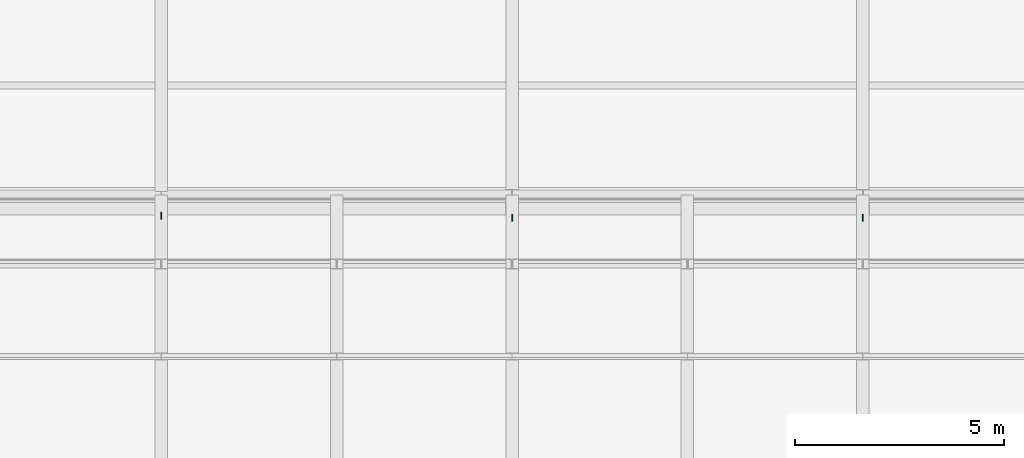
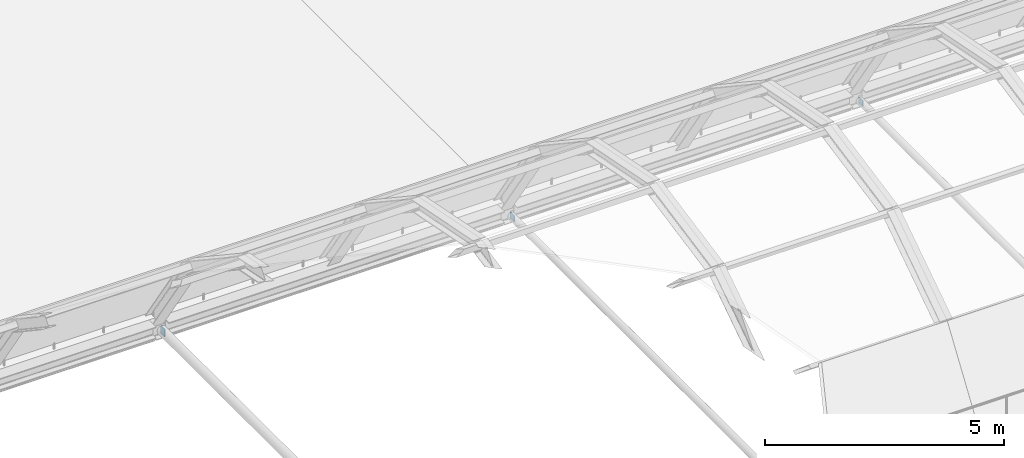
# One storey, part 45 of 58: 3 discrete accessories.
"""IFC4 building model written with IfcOpenShell, lengths in metres."""

import ifcopenshell
import ifcopenshell.guid

model = None  # the IFC model being written
_history = None  # IfcOwnerHistory: only IFC2X3 demands one
_inside = {}  # id of a spatial element -> (the spatial element, [elements in it])
_under = {}  # id of a project, library or spatial element -> (it, [spatial elements below it])
_declared = {}  # id of a project -> (the project, [libraries it declares])
_typed = {}  # id of a type object -> (the type object, [elements of that type])
_made_of = {}  # id of a material, layer set ... -> (it, [elements and type objects made of it])


def new_model(schema):
    """Start an empty IFC model of exactly this schema.

    Asked for "IFC4X3", IfcOpenShell would pick the latest addendum, in which some entities
    have other attributes; the version numbers below select the first issue.
    IFC2X3 requires an IfcOwnerHistory on every rooted entity: one is made here for all.
    """
    global model, _history
    if schema == "IFC4X3":
        model = ifcopenshell.file(schema_version=(4, 3, 0, 0))
    else:
        model = ifcopenshell.file(schema=schema)
    _inside.clear()
    _under.clear()
    _declared.clear()
    _typed.clear()
    _made_of.clear()
    _history = None
    if model.schema == "IFC2X3":
        org = make("IfcOrganization", Name="unknown")
        user = make(
            "IfcPersonAndOrganization",
            ThePerson=make("IfcPerson", FamilyName="unknown"),
            TheOrganization=org,
        )
        app = make(
            "IfcApplication",
            ApplicationDeveloper=org,
            Version="unknown",
            ApplicationFullName="unknown",
            ApplicationIdentifier="unknown",
        )
        _history = make(
            "IfcOwnerHistory",
            OwningUser=user,
            OwningApplication=app,
            ChangeAction="ADDED",
            CreationDate=0,
        )
    return model


def make(cls, **values):
    """One entity of the class cls with the attributes given. An attribute that is None is left unset."""
    return model.create_entity(
        cls, **{name: value for name, value in values.items() if value is not None}
    )


def rooted(cls, **values):
    """An entity with a GlobalId (a new one), such as an element, a storey or a relation."""
    return make(cls, GlobalId=ifcopenshell.guid.new(), OwnerHistory=_history, **values)


def si_unit(unit_type, name, prefix=None):
    """IfcSIUnit, for example si_unit("LENGTHUNIT", "METRE", prefix="MILLI")."""
    return make("IfcSIUnit", UnitType=unit_type, Prefix=prefix, Name=name)


def assignment(units):
    """IfcUnitAssignment: the units of a project."""
    return None if units is None else make("IfcUnitAssignment", Units=units)


def point(xyz):
    """IfcCartesianPoint."""
    return None if xyz is None else make("IfcCartesianPoint", Coordinates=xyz)


def direction(xyz):
    """IfcDirection."""
    return None if xyz is None else make("IfcDirection", DirectionRatios=xyz)


def frame(location, z_axis=None, x_axis=None):
    """IfcAxis2Placement3D, a coordinate frame: its origin and axes. An axis left out is left unset."""
    return make(
        "IfcAxis2Placement3D",
        Location=point(location),
        Axis=direction(z_axis),
        RefDirection=direction(x_axis),
    )


def frame_2d(location, x_axis=None):
    """IfcAxis2Placement2D, a coordinate frame in the plane: its origin and x axis."""
    return make(
        "IfcAxis2Placement2D", Location=point(location), RefDirection=direction(x_axis)
    )


def origin():
    """The frame at (0, 0, 0) with its axes left unset."""
    return frame((0.0, 0.0, 0.0))


def origin_2d():
    """The frame at (0, 0) in the plane with its x axis left unset."""
    return frame_2d((0.0, 0.0))


def place(relative_to, where):
    """IfcLocalPlacement: puts the frame where relative to a parent placement (None: the world)."""
    return make(
        "IfcLocalPlacement", PlacementRelTo=relative_to, RelativePlacement=where
    )


def context(
    kind, dimensions, precision=None, world=None, true_north=None, identifier=None
):
    """IfcGeometricRepresentationContext, for example the 3D "Model" context."""
    return make(
        "IfcGeometricRepresentationContext",
        ContextIdentifier=identifier,
        ContextType=kind,
        CoordinateSpaceDimension=dimensions,
        Precision=precision,
        WorldCoordinateSystem=world,
        TrueNorth=true_north,
    )


def subcontext(parent, identifier, kind, view, scale=None):
    """IfcGeometricRepresentationSubContext, for example "Body" below "Model"."""
    return make(
        "IfcGeometricRepresentationSubContext",
        ContextIdentifier=identifier,
        ContextType=kind,
        ParentContext=parent,
        TargetScale=scale,
        TargetView=view,
    )


def project(units=None, contexts=None):
    """IfcProject with its units and contexts."""
    return rooted(
        "IfcProject",
        Name="project",
        RepresentationContexts=contexts,
        UnitsInContext=assignment(units),
    )


def spatial(cls, under=None, at=None, **own):
    """A site, building, storey or space (cls), placed at a placement, below another one or the project."""
    s = rooted(cls, ObjectPlacement=at, **own)
    if under is not None:
        _under.setdefault(under.id(), (under, []))[1].append(s)
    return s


def profile(cls, at=None, kind="AREA", **sizes):
    """A parametric profile (cls). Its sizes go by their IFC names, for example OverallWidth=200.0."""
    return make(cls, ProfileType=kind, Position=at, **sizes)


def rectangle(**sizes):
    """IfcRectangleProfileDef."""
    return profile("IfcRectangleProfileDef", **sizes)


def extrude(swept, where, along, depth):
    """IfcExtrudedAreaSolid: the profile swept, set in the frame where, extruded along a direction by depth."""
    return make(
        "IfcExtrudedAreaSolid",
        SweptArea=swept,
        Position=where,
        ExtrudedDirection=direction(along),
        Depth=depth,
    )


def shape(context_of_items, identifier, shape_type, items):
    """IfcShapeRepresentation: the items that make up one representation, for example the "Body"."""
    return make(
        "IfcShapeRepresentation",
        ContextOfItems=context_of_items,
        RepresentationIdentifier=identifier,
        RepresentationType=shape_type,
        Items=items,
    )


def material(Name=None, Category=None):
    """IfcMaterial."""
    return make("IfcMaterial", Name=Name, Category=Category)


def layer(
    of_material, thickness, ventilated=None, Name=None, Category=None, Priority=None
):
    """IfcMaterialLayer: one layer of a wall or slab, of a material (None: an air gap)."""
    return make(
        "IfcMaterialLayer",
        Material=of_material,
        LayerThickness=thickness,
        IsVentilated=ventilated,
        Name=Name,
        Category=Category,
        Priority=Priority,
    )


def layer_set(layers, Name=None):
    """IfcMaterialLayerSet."""
    return make("IfcMaterialLayerSet", MaterialLayers=layers, LayerSetName=Name)


def made_of(thing, what):
    """Note that an element or type object is made of a material, layer set ...; save() writes the relation."""
    if what is not None:
        _made_of.setdefault(what.id(), (what, []))[1].append(thing)
    return thing


def type_object(cls, material=None, **own):
    """A type object (cls), such as IfcWallType, which elements share."""
    return made_of(rooted(cls, **own), material)


def element(
    cls,
    number,
    at=None,
    inside=None,
    cuts=None,
    type_object=None,
    material=None,
    context=None,
    identifier="Body",
    shape_type=None,
    held_by="IfcProductDefinitionShape",
    body=None,
    shapes=None,
    **own,
):
    """One element of the class cls, such as IfcWall. Its Tag is "e" and its number.

    at: its placement. inside: the storey or other place that contains it. cuts: it is an
    opening in that element (IfcRelVoidsElement). A single representation is given by context,
    identifier, shape_type and body (its items); several are given by shapes. held_by: the class
    of the entity that holds the representations. save() writes the other relations.
    """
    e = rooted(cls, Tag="e%d" % number, ObjectPlacement=at, **own)
    if body is not None:
        shapes = [shape(context, identifier, shape_type, body)]
    if shapes is not None:
        e.Representation = make(held_by, Representations=shapes)
    if inside is not None:
        _inside.setdefault(inside.id(), (inside, []))[1].append(e)
    if cuts is not None:
        rooted(
            "IfcRelVoidsElement", RelatingBuildingElement=cuts, RelatedOpeningElement=e
        )
    if type_object is not None:
        _typed.setdefault(type_object.id(), (type_object, []))[1].append(e)
    return made_of(e, material)


def aggregate(whole, parts):
    """IfcRelAggregates: a whole, such as a stair, and the parts it consists of."""
    return rooted("IfcRelAggregates", RelatingObject=whole, RelatedObjects=parts)


def save(model, path):
    """Write the relations noted so far, then the file.

    IfcRelAggregates (storeys below a building ...), IfcRelContainedInSpatialStructure (elements
    in a storey), IfcRelDefinesByType, IfcRelAssociatesMaterial and IfcRelDeclares: one each for
    every whole, place, type object, material and project.
    """
    for whole, parts in _under.values():
        aggregate(whole, parts)
    for where, things in _inside.values():
        rooted(
            "IfcRelContainedInSpatialStructure",
            RelatedElements=things,
            RelatingStructure=where,
        )
    for kind, things in _typed.values():
        rooted("IfcRelDefinesByType", RelatedObjects=things, RelatingType=kind)
    for what, things in _made_of.values():
        rooted("IfcRelAssociatesMaterial", RelatedObjects=things, RelatingMaterial=what)
    for by, libraries in _declared.values():
        rooted("IfcRelDeclares", RelatingContext=by, RelatedDefinitions=libraries)
    model.write(path)


model = new_model("IFC4")

# Units and contexts
model_context = context("Model", 3, precision=1e-05, world=origin(), true_north=direction((0.0, 1.0)))
body_context = subcontext(model_context, "Body", "Model", "MODEL_VIEW")
ifc_project = project(units=[si_unit("LENGTHUNIT", "METRE"), si_unit("AREAUNIT", "SQUARE_METRE"), si_unit("VOLUMEUNIT", "CUBIC_METRE"), si_unit("PLANEANGLEUNIT", "RADIAN"), si_unit("MASSUNIT", "GRAM", prefix="KILO")], contexts=[model_context])

# Site, building, storey
site_placement = place(None, origin())
site = spatial("IfcSite", under=ifc_project, at=site_placement, CompositionType="ELEMENT")
building_placement = place(site_placement, origin())
building = spatial("IfcBuilding", under=site, at=building_placement, Name="Galleria Vessillo Department Store", CompositionType="ELEMENT")
storey_placement = place(building_placement, frame((0.0, 0.0, 31.199951171875)))
storey = spatial("IfcBuildingStorey", under=building, at=storey_placement, Name="L06", CompositionType="ELEMENT", Elevation=31.199951171875)

# Discrete accessories
ifc_material_1 = material(Name="Steel S355 J2", Category="steel")
ifc_layer_1 = layer(ifc_material_1, 0.02490234375)
ifc_layer_set_1 = layer_set([ifc_layer_1], Name="Steel S355 J2")
discrete_accessory_type_1 = type_object("IfcDiscreteAccessoryType", Name="Vault tie gusset and cap bracket CN15", PredefinedType="BRACKET", material=ifc_layer_set_1)
for number, where, z_axis, x_axis, name in (
    (1, (33.60009765625, 37.429931640625, -0.224853515625), (0.0, 0.0, 1.0), (1.0, 0.0, 0.0), "Vault tie connection bracket S-VT-0336 north"),
    (2, (42.0, 37.429931640625, -0.224853515625), (0.0, 0.0, 1.0), (1.0, 0.0, 0.0), "Vault tie connection bracket S-VT-0420 north"),
):
    element("IfcDiscreteAccessory", number, at=place(storey_placement, frame(where, z_axis=z_axis, x_axis=x_axis)), inside=storey, type_object=discrete_accessory_type_1, Name=name, PredefinedType="BRACKET", context=body_context, shape_type="SweptSolid", body=[
        extrude(rectangle(XDim=0.02490234375, YDim=0.159912109375, at=origin_2d()), origin(), (0.0, 0.0, 1.0), 0.14990234375),
    ])
ifc_material_2 = material(Name="Steel S355 J2", Category="steel")
ifc_layer_2 = layer(ifc_material_2, 0.030029296875)
ifc_layer_set_2 = layer_set([ifc_layer_2], Name="Steel S355 J2")
discrete_accessory_type_2 = type_object("IfcDiscreteAccessoryType", Name="Vault tie gusset bracket CN6", PredefinedType="BRACKET", material=ifc_layer_set_2)
discrete_accessory_placement = place(storey_placement, frame((25.199951171875, 37.47802734375, -0.23974609375), z_axis=(0.0, 0.0, 1.0), x_axis=(1.0, 0.0, 0.0)))
element("IfcDiscreteAccessory", 3, at=discrete_accessory_placement, inside=storey, type_object=discrete_accessory_type_2, Name="Vault tie connection bracket S-VT-0252 north", PredefinedType="BRACKET", context=body_context, shape_type="SweptSolid", body=[
    extrude(rectangle(XDim=0.030029296875, YDim=0.159912109375, at=origin_2d()), origin(), (0.0, 0.0, 1.0), 0.179931640625),
])

save(model, "model.ifc")
